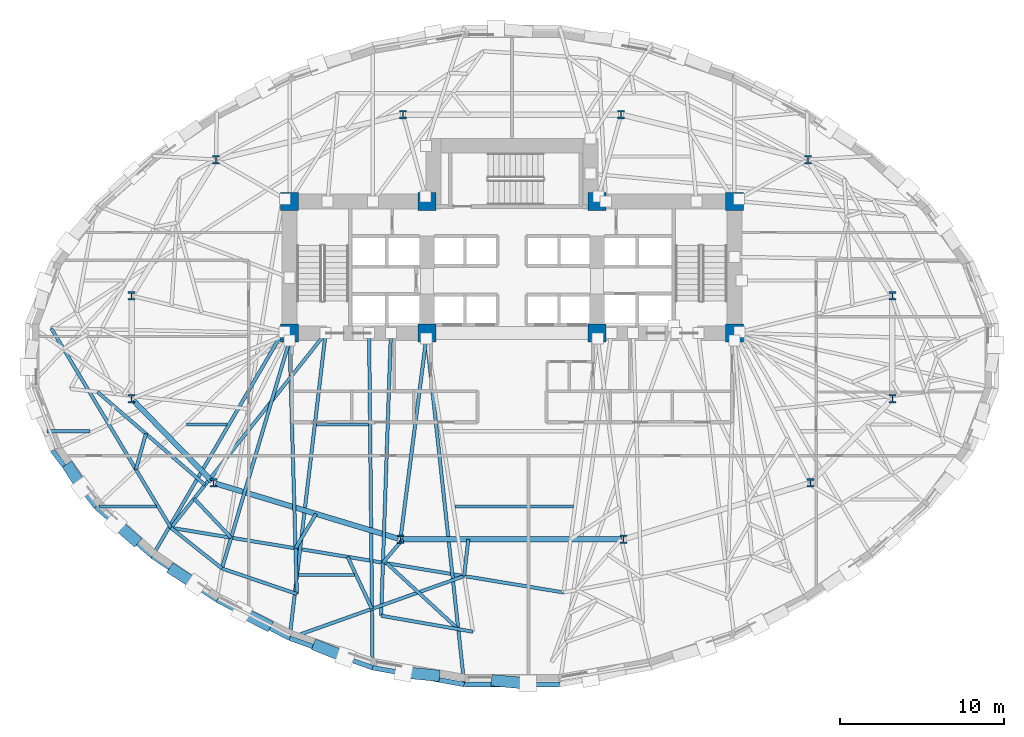
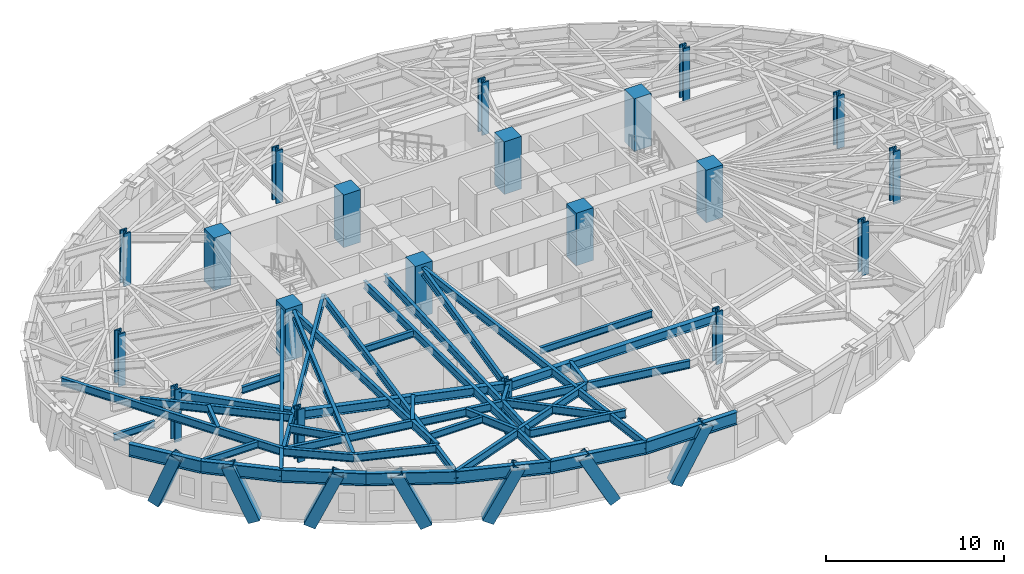
# One storey, part 1 of 14: 39 beams, 20 columns, 7 members.
"""IFC4 building model written with IfcOpenShell, lengths in metres."""

from ifc_helpers import new_model, si_unit, direction, frame, origin, origin_2d, place, context, subcontext, project, spatial, rectangle, hollow_rectangle, i_section, extrude, material, material_profile, profile_set, type_object, element, save


model = new_model("IFC4")

# Units and contexts
model_context = context("Model", 3, precision=1e-05, world=origin(), true_north=direction((0.0, 1.0)))
body_context = subcontext(model_context, "Body", "Model", "MODEL_VIEW")
ifc_project = project(units=[si_unit("LENGTHUNIT", "METRE"), si_unit("AREAUNIT", "SQUARE_METRE"), si_unit("VOLUMEUNIT", "CUBIC_METRE"), si_unit("PLANEANGLEUNIT", "RADIAN"), si_unit("MASSUNIT", "GRAM", prefix="KILO")], contexts=[model_context])

# Site, building, storey
site_placement = place(None, origin())
site = spatial("IfcSite", under=ifc_project, at=site_placement, CompositionType="ELEMENT")
building_placement = place(site_placement, origin())
building = spatial("IfcBuilding", under=site, at=building_placement, Name="Keldmark Tower", CompositionType="ELEMENT")
storey_placement = place(building_placement, frame((0.0, 0.0, 63.0)))
storey = spatial("IfcBuildingStorey", under=building, at=storey_placement, Name="L16", CompositionType="ELEMENT", Elevation=63.0)

# Columns
ifc_material_1 = material(Name="Concrete C70/85", Category="concrete")
ifc_material_profile_1 = material_profile(ifc_material_1, rectangle(XDim=1.10009765625, YDim=1.10009765625, at=origin_2d()), Name="RC1100X1100")
ifc_profile_set_1 = profile_set([ifc_material_profile_1], Name="Concrete C70/85")
column_type_1 = type_object("IfcColumnType", Name="Core Boundary Column RC1100", PredefinedType="COLUMN", material=ifc_profile_set_1)
for number, where, z_axis, x_axis, name in (
    (1, (-13.60009765625, 1.39990234375, 0.0), (0.0, 0.0, 1.0), (1.0, 0.0, 0.0), "L16 Core Boundary Column CC-W1"),
    (2, (-13.60009765625, 9.449951171875, 0.0), (0.0, 0.0, 1.0), (1.0, 0.0, 0.0), "L16 Core Boundary Column CC-W2"),
    (3, (-5.199951171875, 1.39990234375, 0.0), (0.0, 0.0, 1.0), (1.0, 0.0, 0.0), "L16 Core Boundary Column CC-W3"),
    (4, (-5.199951171875, 9.449951171875, 0.0), (0.0, 0.0, 1.0), (1.0, 0.0, 0.0), "L16 Core Boundary Column CC-W4"),
    (5, (5.199951171875, 1.39990234375, 0.0), (0.0, 0.0, 1.0), (1.0, 0.0, 0.0), "L16 Core Boundary Column CC-E1"),
    (6, (5.199951171875, 9.449951171875, 0.0), (0.0, 0.0, 1.0), (1.0, 0.0, 0.0), "L16 Core Boundary Column CC-E2"),
    (7, (13.60009765625, 1.39990234375, 0.0), (0.0, 0.0, 1.0), (1.0, 0.0, 0.0), "L16 Core Boundary Column CC-E3"),
    (8, (13.60009765625, 9.449951171875, 0.0), (0.0, 0.0, 1.0), (1.0, 0.0, 0.0), "L16 Core Boundary Column CC-E4"),
):
    element("IfcColumn", number, at=place(storey_placement, frame(where, z_axis=z_axis, x_axis=x_axis)), inside=storey, type_object=column_type_1, Name=name, PredefinedType="COLUMN", context=body_context, shape_type="SweptSolid", body=[
        extrude(rectangle(XDim=1.10009765625, YDim=1.10009765625, at=origin_2d()), origin(), (0.0, 0.0, 1.0), 3.60009765625),
    ])
ifc_material_2 = material(Name="Steel ASTM A992 Grade 50", Category="steel")
ifc_material_profile_2 = material_profile(ifc_material_2, i_section(OverallWidth=0.43701171875, OverallDepth=0.513916015625, WebThickness=0.060546875, FlangeThickness=0.096923828125, at=origin_2d()), Name="W14X550")
ifc_profile_set_2 = profile_set([ifc_material_profile_2], Name="Steel ASTM A992 Grade 50")
column_type_2 = type_object("IfcColumnType", Name="Tower Gravity Column W14X550", PredefinedType="COLUMN", material=ifc_profile_set_2)
for number, where, z_axis, x_axis, name in (
    (9, (23.25390625, 3.67724609375, 0.0), (0.0, 0.0, 1.0), (1.0, 0.0, 0.0), "L16 Tower Gravity Column TC-E1"),
    (10, (18.09765625, 12.00732421875, 0.0), (0.0, 0.0, 1.0), (1.0, 0.0, 0.0), "L16 Tower Gravity Column TC-E4"),
    (11, (6.6650390625, 14.760009765625, 0.0), (0.0, 0.0, 1.0), (1.0, 0.0, 0.0), "L16 Tower Gravity Column TC-N2"),
    (12, (-6.6650390625, 14.760009765625, 0.0), (0.0, 0.0, 1.0), (1.0, 0.0, 0.0), "L16 Tower Gravity Column TC-N1"),
    (13, (-18.09765625, 12.00732421875, 0.0), (0.0, 0.0, 1.0), (1.0, 0.0, 0.0), "L16 Tower Gravity Column TC-W4"),
    (14, (-23.25390625, 3.67724609375, 0.0), (0.0, 0.0, 1.0), (1.0, 0.0, 0.0), "L16 Tower Gravity Column TC-W1"),
    (15, (-23.25390625, -2.61328125, 0.0), (0.0, 0.0, 1.0), (1.0, 0.0, 0.0), "L16 Tower Gravity Column TC-W5"),
    (16, (-18.252685546875, -7.755615234375, 0.0), (0.0, 0.0, 1.0), (1.0, 0.0, 0.0), "L16 Tower Gravity Column TC-W2"),
    (17, (-6.822021484375, -11.205810546875, 0.0), (0.0, 0.0, 1.0), (1.0, 0.0, 0.0), "L16 Tower Gravity Column TC-W3"),
    (18, (6.822021484375, -11.205810546875, 0.0), (0.0, 0.0, 1.0), (1.0, 0.0, 0.0), "L16 Tower Gravity Column TC-E3"),
    (19, (18.252685546875, -7.755615234375, 0.0), (0.0, 0.0, 1.0), (1.0, 0.0, 0.0), "L16 Tower Gravity Column TC-E2"),
    (20, (23.25390625, -2.61328125, 0.0), (0.0, 0.0, 1.0), (1.0, 0.0, 0.0), "L16 Tower Gravity Column TC-E5"),
):
    element("IfcColumn", number, at=place(storey_placement, frame(where, z_axis=z_axis, x_axis=x_axis)), inside=storey, type_object=column_type_2, Name=name, PredefinedType="COLUMN", context=body_context, shape_type="SweptSolid", body=[
        extrude(i_section(OverallWidth=0.43701171875, OverallDepth=0.513916015625, WebThickness=0.060546875, FlangeThickness=0.096923828125, at=origin_2d()), origin(), (0.0, 0.0, 1.0), 3.60009765625),
    ])

# Beams
ifc_material_3 = material(Name="Steel ASTM A992 Grade 50", Category="steel")
ifc_material_profile_3 = material_profile(ifc_material_3, i_section(OverallWidth=0.19091796875, OverallDepth=0.45703125, WebThickness=0.009033203125, FlangeThickness=0.014404296875, at=origin_2d()), Name="W18X50")
ifc_profile_set_3 = profile_set([ifc_material_profile_3], Name="Steel ASTM A992 Grade 50")
beam_type_1 = type_object("IfcBeamType", Name="Composite Floor Joist W18X50", PredefinedType="JOIST", material=ifc_profile_set_3)
beam_1_placement = place(storey_placement, frame((-13.045166015625, -13.3798828125, 3.17138671875), z_axis=(1.0, 0.0, 0.0), x_axis=(0.0, 1.0, 0.0)))
element("IfcBeam", 21, at=beam_1_placement, inside=storey, type_object=beam_type_1, Name="L16 Composite Floor Joist J01", PredefinedType="JOIST", context=body_context, shape_type="SweptSolid", body=[
    extrude(i_section(OverallWidth=0.19091796875, OverallDepth=0.45703125, WebThickness=0.009033203125, FlangeThickness=0.014404296875, at=origin_2d()), origin(), (0.0, 0.0, 1.0), 3.403564453125),
])
beam_2_placement = place(storey_placement, frame((-25.25830078125, -9.199951171875, 3.17138671875), z_axis=(1.0, 0.0, 0.0), x_axis=(0.0, 1.0, 0.0)))
element("IfcBeam", 22, at=beam_2_placement, inside=storey, type_object=beam_type_1, Name="L16 Composite Floor Joist J02", PredefinedType="JOIST", context=body_context, shape_type="SweptSolid", body=[
    extrude(i_section(OverallWidth=0.19091796875, OverallDepth=0.45703125, WebThickness=0.009033203125, FlangeThickness=0.014404296875, at=origin_2d()), origin(), (0.0, 0.0, 1.0), 3.51025390625),
])
beam_3_placement = place(storey_placement, frame((-3.498779296875, -9.199951171875, 3.17138671875), z_axis=(1.0, 0.0, 0.0), x_axis=(0.0, 1.0, 0.0)))
element("IfcBeam", 23, at=beam_3_placement, inside=storey, type_object=beam_type_1, Name="L16 Composite Floor Joist J03", PredefinedType="JOIST", context=body_context, shape_type="SweptSolid", body=[
    extrude(i_section(OverallWidth=0.19091796875, OverallDepth=0.45703125, WebThickness=0.009033203125, FlangeThickness=0.014404296875, at=origin_2d()), origin(), (0.0, 0.0, 1.0), 7.254638671875),
])
beam_4_placement = place(storey_placement, frame((-28.423095703125, -4.60009765625, 3.17138671875), z_axis=(1.0, 0.0, 0.0), x_axis=(0.0, 1.0, 0.0)))
element("IfcBeam", 24, at=beam_4_placement, inside=storey, type_object=beam_type_1, Name="L16 Composite Floor Joist J05", PredefinedType="JOIST", context=body_context, shape_type="SweptSolid", body=[
    extrude(i_section(OverallWidth=0.19091796875, OverallDepth=0.45703125, WebThickness=0.009033203125, FlangeThickness=0.014404296875, at=origin_2d()), origin(), (0.0, 0.0, 1.0), 2.630615234375),
])
beam_5_placement = place(storey_placement, frame((-19.892822265625, -4.179931640625, 3.17138671875), z_axis=(1.0, 0.0, 0.0), x_axis=(0.0, 1.0, 0.0)))
element("IfcBeam", 25, at=beam_5_placement, inside=storey, type_object=beam_type_1, Name="L16 Composite Floor Joist J06", PredefinedType="JOIST", context=body_context, shape_type="SweptSolid", body=[
    extrude(i_section(OverallWidth=0.19091796875, OverallDepth=0.45703125, WebThickness=0.009033203125, FlangeThickness=0.014404296875, at=origin_2d()), origin(), (0.0, 0.0, 1.0), 2.4814453125),
])
beam_6_placement = place(storey_placement, frame((-11.95654296875, -4.179931640625, 3.17138671875), z_axis=(1.0, 0.0, 0.0), x_axis=(0.0, 1.0, 0.0)))
element("IfcBeam", 26, at=beam_6_placement, inside=storey, type_object=beam_type_1, Name="L16 Composite Floor Joist J07", PredefinedType="JOIST", context=body_context, shape_type="SweptSolid", body=[
    extrude(i_section(OverallWidth=0.19091796875, OverallDepth=0.45703125, WebThickness=0.009033203125, FlangeThickness=0.014404296875, at=origin_2d()), origin(), (0.0, 0.0, 1.0), 3.182861328125),
])

# Members
ifc_material_4 = material(Name="Steel ASTM A572 Grade 50", Category="steel")
ifc_material_profile_4 = material_profile(ifc_material_4, hollow_rectangle(XDim=0.699951171875, YDim=0.699951171875, WallThickness=0.054931640625, at=origin_2d()), Name="BOX700X700X55")
ifc_profile_set_4 = profile_set([ifc_material_profile_4], Name="Steel ASTM A572 Grade 50")
member_type = type_object("IfcMemberType", Name="Diagrid Zone 1 Brace BOX700X700X55", PredefinedType="BRACE", material=ifc_profile_set_4)
member_1_placement = place(storey_placement, frame((-27.02978515625, -6.88037109375, -0.280029296875), z_axis=(0.198169664539, -0.307561872275, 0.930663461612), x_axis=(0.840616924011, 0.541630120161, 0.0)))
element("IfcMember", 27, at=member_1_placement, inside=storey, type_object=member_type, Name="L16 Perimeter Diagrid Brace 09B", PredefinedType="BRACE", context=body_context, shape_type="SweptSolid", body=[
    extrude(hollow_rectangle(XDim=0.699951171875, YDim=0.699951171875, WallThickness=0.054931640625, at=origin_2d()), origin(), (0.0, 0.0, 1.0), 3.8251953125),
])
member_2_placement = place(storey_placement, frame((-23.0888671875, -11.206298828125, -0.280029296875), z_axis=(-0.297192050443, 0.260019417464, 0.918731074741), x_axis=(-0.65847072007, -0.752606345183, 0.0)))
element("IfcMember", 28, at=member_2_placement, inside=storey, type_object=member_type, Name="L16 Perimeter Diagrid Brace 10A", PredefinedType="BRACE", context=body_context, shape_type="SweptSolid", body=[
    extrude(hollow_rectangle(XDim=0.699951171875, YDim=0.699951171875, WallThickness=0.054931640625, at=origin_2d()), origin(), (0.0, 0.0, 1.0), 3.875),
])
member_3_placement = place(storey_placement, frame((-20.65380859375, -13.1044921875, -0.280029296875), z_axis=(0.342659938482, -0.224937046145, 0.91213348356), x_axis=(0.54876977085, 0.835973527452, 0.0)))
element("IfcMember", 29, at=member_3_placement, inside=storey, type_object=member_type, Name="L16 Perimeter Diagrid Brace 10B", PredefinedType="BRACE", context=body_context, shape_type="SweptSolid", body=[
    extrude(hollow_rectangle(XDim=0.699951171875, YDim=0.699951171875, WallThickness=0.054931640625, at=origin_2d()), origin(), (0.0, 0.0, 1.0), 3.903076171875),
])
member_4_placement = place(storey_placement, frame((-15.033203125, -16.4072265625, -0.280029296875), z_axis=(-0.379728256214, 0.193555327461, 0.904623008023), x_axis=(-0.454128549703, -0.890936170747, 0.0)))
element("IfcMember", 30, at=member_4_placement, inside=storey, type_object=member_type, Name="L16 Perimeter Diagrid Brace 11A", PredefinedType="BRACE", context=body_context, shape_type="SweptSolid", body=[
    extrude(hollow_rectangle(XDim=0.699951171875, YDim=0.699951171875, WallThickness=0.054931640625, at=origin_2d()), origin(), (0.0, 0.0, 1.0), 3.935302734375),
])
member_5_placement = place(storey_placement, frame((-11.844970703125, -17.73828125, -0.280029296875), z_axis=(0.416210288064, -0.166079491879, 0.893972370091), x_axis=(0.370612156998, 0.928787720141, 0.0)))
element("IfcMember", 31, at=member_5_placement, inside=storey, type_object=member_type, Name="L16 Perimeter Diagrid Brace 11B", PredefinedType="BRACE", context=body_context, shape_type="SweptSolid", body=[
    extrude(hollow_rectangle(XDim=0.699951171875, YDim=0.699951171875, WallThickness=0.054931640625, at=origin_2d()), origin(), (0.0, 0.0, 1.0), 3.982177734375),
])
member_6_placement = place(storey_placement, frame((-4.735107421875, -19.52734375, -0.280029296875), z_axis=(-0.470779677868, 0.046582537428, 0.88102018258), x_axis=(-0.098466786507, -0.995140337819, 0.0)))
element("IfcMember", 32, at=member_6_placement, inside=storey, type_object=member_type, Name="L16 Perimeter Diagrid Brace 12A", PredefinedType="BRACE", context=body_context, shape_type="SweptSolid", body=[
    extrude(hollow_rectangle(XDim=0.699951171875, YDim=0.699951171875, WallThickness=0.054931640625, at=origin_2d()), origin(), (0.0, 0.0, 1.0), 4.040771484375),
])
member_7_placement = place(storey_placement, frame((-0.9580078125, -19.84765625, -0.280029296875), z_axis=(0.477382475251, -0.043693857417, 0.877608579691), x_axis=(0.091146997976, 0.995837448964, 0.0)))
element("IfcMember", 33, at=member_7_placement, inside=storey, type_object=member_type, Name="L16 Perimeter Diagrid Brace 12B", PredefinedType="BRACE", context=body_context, shape_type="SweptSolid", body=[
    extrude(hollow_rectangle(XDim=0.699951171875, YDim=0.699951171875, WallThickness=0.054931640625, at=origin_2d()), origin(), (0.0, 0.0, 1.0), 4.056640625),
])

# Beams
ifc_material_5 = material(Name="Steel ASTM A992 Grade 50", Category="steel")
ifc_material_profile_5 = material_profile(ifc_material_5, i_section(OverallWidth=0.323974609375, OverallDepth=0.611083984375, WebThickness=0.0126953125, FlangeThickness=0.01904296875, at=origin_2d()), Name="W24X104")
ifc_profile_set_5 = profile_set([ifc_material_profile_5], Name="Steel ASTM A992 Grade 50")
beam_type_2 = type_object("IfcBeamType", Name="Primary Floor Girder W24X104", PredefinedType="BEAM", material=ifc_profile_set_5)
beam_7_placement = place(storey_placement, frame((-23.156494140625, -2.713623046875, 3.094482421875), z_axis=(0.697210382268, -0.716866572563, 0.0), x_axis=(0.716866572563, 0.697210382268, 0.0)))
element("IfcBeam", 34, at=beam_7_placement, inside=storey, type_object=beam_type_2, Name="L16 Floor Ring Girder FG-R07", PredefinedType="BEAM", context=body_context, shape_type="SweptSolid", body=[
    extrude(i_section(OverallWidth=0.323974609375, OverallDepth=0.611083984375, WebThickness=0.0126953125, FlangeThickness=0.01904296875, at=origin_2d()), origin(), (0.0, 0.0, 1.0), 6.893310546875),
])
beam_8_placement = place(storey_placement, frame((-18.118896484375, -7.796142578125, 3.094482421875), z_axis=(0.957346071406, -0.2889437654, 0.0), x_axis=(0.2889437654, 0.957346071406, 0.0)))
element("IfcBeam", 35, at=beam_8_placement, inside=storey, type_object=beam_type_2, Name="L16 Floor Ring Girder FG-R08", PredefinedType="BEAM", context=body_context, shape_type="SweptSolid", body=[
    extrude(i_section(OverallWidth=0.323974609375, OverallDepth=0.611083984375, WebThickness=0.0126953125, FlangeThickness=0.01904296875, at=origin_2d()), origin(), (0.0, 0.0, 1.0), 11.66015625),
])
beam_9_placement = place(storey_placement, frame((-6.68212890625, -11.205810546875, 3.094482421875), z_axis=(1.0, 0.0, 0.0), x_axis=(0.0, 1.0, 0.0)))
element("IfcBeam", 36, at=beam_9_placement, inside=storey, type_object=beam_type_2, Name="L16 Floor Ring Girder FG-R09", PredefinedType="BEAM", context=body_context, shape_type="SweptSolid", body=[
    extrude(i_section(OverallWidth=0.323974609375, OverallDepth=0.611083984375, WebThickness=0.0126953125, FlangeThickness=0.01904296875, at=origin_2d()), origin(), (0.0, 0.0, 1.0), 13.3642578125),
])
ifc_material_6 = material(Name="Steel ASTM A992 Grade 50", Category="steel")
ifc_material_profile_6 = material_profile(ifc_material_6, i_section(OverallWidth=0.2099609375, OverallDepth=0.537109375, WebThickness=0.010986328125, FlangeThickness=0.017333984375, at=origin_2d()), Name="W21X68")
ifc_profile_set_6 = profile_set([ifc_material_profile_6], Name="Steel ASTM A992 Grade 50")
beam_type_3 = type_object("IfcBeamType", Name="Radial Tie Girder W21X68", PredefinedType="BEAM", material=ifc_profile_set_6)
beam_10_placement = place(storey_placement, frame((-25.342529296875, -2.19482421875, 3.131591796875), z_axis=(0.756359791367, -0.654155842291, 0.0), x_axis=(0.654155842291, 0.756359791367, 0.0)))
element("IfcBeam", 37, at=beam_10_placement, inside=storey, type_object=beam_type_3, Name="L16 Framing Pin Header PH-011", PredefinedType="BEAM", context=body_context, shape_type="SweptSolid", body=[
    extrude(i_section(OverallWidth=0.2099609375, OverallDepth=0.537109375, WebThickness=0.010986328125, FlangeThickness=0.017333984375, at=origin_2d()), origin(), (0.0, 0.0, 1.0), 8.690185546875),
])
beam_11_placement = place(storey_placement, frame((-11.392822265625, 1.39990234375, 3.131591796875), z_axis=(-0.622273645705, -0.782799789129, 0.0), x_axis=(0.782799789129, -0.622273645705, 0.0)))
element("IfcBeam", 38, at=beam_11_placement, inside=storey, type_object=beam_type_3, Name="L16 Sub-Ring Step Girder STP2-M08", PredefinedType="BEAM", context=body_context, shape_type="SweptSolid", body=[
    extrude(i_section(OverallWidth=0.2099609375, OverallDepth=0.537109375, WebThickness=0.010986328125, FlangeThickness=0.017333984375, at=origin_2d()), origin(), (0.0, 0.0, 1.0), 15.2041015625),
])
beam_12_placement = place(storey_placement, frame((-28.1708984375, 1.691162109375, 3.131591796875), z_axis=(0.514548775722, -0.857461111307, 0.0), x_axis=(0.857461111307, 0.514548775722, 0.0)))
element("IfcBeam", 39, at=beam_12_placement, inside=storey, type_object=beam_type_3, Name="L16 Perimeter Collector Ring Beam CRG2-M07", PredefinedType="BEAM", context=body_context, shape_type="SweptSolid", body=[
    extrude(i_section(OverallWidth=0.2099609375, OverallDepth=0.537109375, WebThickness=0.010986328125, FlangeThickness=0.017333984375, at=origin_2d()), origin(), (0.0, 0.0, 1.0), 14.219970703125),
])
beam_13_placement = place(storey_placement, frame((-20.85400390625, -10.501953125, 3.131591796875), z_axis=(0.986709897044, -0.162491781565, 0.0), x_axis=(0.162491781565, 0.986709897044, 0.0)))
element("IfcBeam", 40, at=beam_13_placement, inside=storey, type_object=beam_type_3, Name="L16 Perimeter Collector Ring Beam CRG2-M08", PredefinedType="BEAM", context=body_context, shape_type="SweptSolid", body=[
    extrude(i_section(OverallWidth=0.2099609375, OverallDepth=0.537109375, WebThickness=0.010986328125, FlangeThickness=0.017333984375, at=origin_2d()), origin(), (0.0, 0.0, 1.0), 24.332763671875),
])
beam_14_placement = place(storey_placement, frame((-22.384765625, -4.753173828125, 3.131591796875), z_axis=(-0.268471343188, -0.963287671408, 0.0), x_axis=(0.963287671408, -0.268471343188, 0.0)))
element("IfcBeam", 41, at=beam_14_placement, inside=storey, type_object=beam_type_3, Name="L16 Framing Pin Header PH-028", PredefinedType="BEAM", context=body_context, shape_type="SweptSolid", body=[
    extrude(i_section(OverallWidth=0.2099609375, OverallDepth=0.537109375, WebThickness=0.010986328125, FlangeThickness=0.017333984375, at=origin_2d()), origin(), (0.0, 0.0, 1.0), 2.26708984375),
])
beam_15_placement = place(storey_placement, frame((-14.050048828125, 1.39990234375, 3.131591796875), z_axis=(-0.503236062188, -0.864148983517, 0.0), x_axis=(0.864148983517, -0.503236062188, 0.0)))
element("IfcBeam", 42, at=beam_15_placement, inside=storey, type_object=beam_type_3, Name="L16 Perimeter Radial Tie Girder RT-20", PredefinedType="BEAM", context=body_context, shape_type="SweptSolid", body=[
    extrude(i_section(OverallWidth=0.2099609375, OverallDepth=0.537109375, WebThickness=0.010986328125, FlangeThickness=0.017333984375, at=origin_2d()), origin(), (0.0, 0.0, 1.0), 15.78173828125),
])
beam_16_placement = place(storey_placement, frame((-19.434814453125, -8.716552734375, 3.131591796875), z_axis=(0.686982892772, -0.726673589061, 0.0), x_axis=(0.726673589061, 0.686982892772, 0.0)))
element("IfcBeam", 43, at=beam_16_placement, inside=storey, type_object=beam_type_3, Name="L16 Framing Pin Header PH-029", PredefinedType="BEAM", context=body_context, shape_type="SweptSolid", body=[
    extrude(i_section(OverallWidth=0.2099609375, OverallDepth=0.537109375, WebThickness=0.010986328125, FlangeThickness=0.017333984375, at=origin_2d()), origin(), (0.0, 0.0, 1.0), 3.290771484375),
])
beam_17_placement = place(storey_placement, frame((-13.60009765625, 0.949951171875, 3.131591796875), z_axis=(-0.284182090603, -0.95877032671, 0.0), x_axis=(0.95877032671, -0.284182090603, 0.0)))
element("IfcBeam", 44, at=beam_17_placement, inside=storey, type_object=beam_type_3, Name="L16 Intermediate Radial Step Girder RT-21M", PredefinedType="BEAM", context=body_context, shape_type="SweptSolid", body=[
    extrude(i_section(OverallWidth=0.2099609375, OverallDepth=0.537109375, WebThickness=0.010986328125, FlangeThickness=0.017333984375, at=origin_2d()), origin(), (0.0, 0.0, 1.0), 14.539306640625),
])
beam_18_placement = place(storey_placement, frame((-20.85400390625, -10.501953125, 3.131591796875), z_axis=(0.782042785515, -0.623224744072, 0.0), x_axis=(0.623224744072, 0.782042785515, 0.0)))
element("IfcBeam", 45, at=beam_18_placement, inside=storey, type_object=beam_type_3, Name="L16 Local Collector Chord RT-21C", PredefinedType="BEAM", context=body_context, shape_type="SweptSolid", body=[
    extrude(i_section(OverallWidth=0.2099609375, OverallDepth=0.537109375, WebThickness=0.010986328125, FlangeThickness=0.017333984375, at=origin_2d()), origin(), (0.0, 0.0, 1.0), 3.9921875),
])
beam_19_placement = place(storey_placement, frame((-11.979248046875, -9.649169921875, 3.131591796875), z_axis=(-0.511917688915, -0.859034504415, 0.0), x_axis=(0.859034504415, -0.511917688915, 0.0)))
element("IfcBeam", 46, at=beam_19_placement, inside=storey, type_object=beam_type_3, Name="L16 Framing Pin Header PH-030", PredefinedType="BEAM", context=body_context, shape_type="SweptSolid", body=[
    extrude(i_section(OverallWidth=0.2099609375, OverallDepth=0.537109375, WebThickness=0.010986328125, FlangeThickness=0.017333984375, at=origin_2d()), origin(), (0.0, 0.0, 1.0), 2.453125),
])
beam_20_placement = place(storey_placement, frame((-13.60009765625, 0.949951171875, 3.131591796875), z_axis=(0.028722057442, -0.999587436604, 0.0), x_axis=(0.999587436604, 0.028722057442, 0.0)))
element("IfcBeam", 47, at=beam_20_placement, inside=storey, type_object=beam_type_3, Name="L16 Intermediate Radial Step Girder RT-22M", PredefinedType="BEAM", context=body_context, shape_type="SweptSolid", body=[
    extrude(i_section(OverallWidth=0.2099609375, OverallDepth=0.537109375, WebThickness=0.010986328125, FlangeThickness=0.017333984375, at=origin_2d()), origin(), (0.0, 0.0, 1.0), 15.504150390625),
])
beam_21_placement = place(storey_placement, frame((-17.73193359375, -12.989990234375, 3.131591796875), z_axis=(0.946669897162, -0.322205067943, 0.0), x_axis=(0.322205067943, 0.946669897162, 0.0)))
element("IfcBeam", 48, at=beam_21_placement, inside=storey, type_object=beam_type_3, Name="L16 Local Collector Chord RT-22C", PredefinedType="BEAM", context=body_context, shape_type="SweptSolid", body=[
    extrude(i_section(OverallWidth=0.2099609375, OverallDepth=0.537109375, WebThickness=0.010986328125, FlangeThickness=0.017333984375, at=origin_2d()), origin(), (0.0, 0.0, 1.0), 4.8349609375),
])
beam_22_placement = place(storey_placement, frame((-11.392822265625, 1.39990234375, 3.131591796875), z_axis=(-0.117516192305, -0.993070966521, 0.0), x_axis=(0.993070966521, -0.117516192305, 0.0)))
element("IfcBeam", 49, at=beam_22_placement, inside=storey, type_object=beam_type_3, Name="L16 Perimeter Radial Tie Girder RT-22", PredefinedType="BEAM", context=body_context, shape_type="SweptSolid", body=[
    extrude(i_section(OverallWidth=0.2099609375, OverallDepth=0.537109375, WebThickness=0.010986328125, FlangeThickness=0.017333984375, at=origin_2d()), origin(), (0.0, 0.0, 1.0), 18.78271484375),
])
beam_23_placement = place(storey_placement, frame((-6.68212890625, -11.205810546875, 3.131591796875), z_axis=(-0.644790007562, -0.764359762251, 0.0), x_axis=(0.764359762251, -0.644790007562, 0.0)))
element("IfcBeam", 50, at=beam_23_placement, inside=storey, type_object=beam_type_3, Name="L16 Framing Pin Header PH-031", PredefinedType="BEAM", context=body_context, shape_type="SweptSolid", body=[
    extrude(i_section(OverallWidth=0.2099609375, OverallDepth=0.537109375, WebThickness=0.010986328125, FlangeThickness=0.017333984375, at=origin_2d()), origin(), (0.0, 0.0, 1.0), 1.872314453125),
])
beam_24_placement = place(storey_placement, frame((-7.406982421875, 1.39990234375, 3.131591796875), z_axis=(-0.034357220928, -0.999409616409, 0.0), x_axis=(0.999409616409, -0.034357220928, 0.0)))
element("IfcBeam", 51, at=beam_24_placement, inside=storey, type_object=beam_type_3, Name="L16 Intermediate Radial Step Girder RT-23M", PredefinedType="BEAM", context=body_context, shape_type="SweptSolid", body=[
    extrude(i_section(OverallWidth=0.2099609375, OverallDepth=0.537109375, WebThickness=0.010986328125, FlangeThickness=0.017333984375, at=origin_2d()), origin(), (0.0, 0.0, 1.0), 17.288818359375),
])
beam_25_placement = place(storey_placement, frame((-2.6728515625, -11.205810546875, 3.131591796875), z_axis=(-0.11079859299, -0.993842880838, 0.0), x_axis=(0.993842880838, -0.11079859299, 0.0)))
element("IfcBeam", 52, at=beam_25_placement, inside=storey, type_object=beam_type_3, Name="L16 Framing Pin Header PH-032", PredefinedType="BEAM", context=body_context, shape_type="SweptSolid", body=[
    extrude(i_section(OverallWidth=0.2099609375, OverallDepth=0.537109375, WebThickness=0.010986328125, FlangeThickness=0.017333984375, at=origin_2d()), origin(), (0.0, 0.0, 1.0), 2.262939453125),
])
beam_26_placement = place(storey_placement, frame((-8.0009765625, -15.878662109375, 3.131591796875), z_axis=(0.985138099646, -0.171764154075, 0.0), x_axis=(0.171764154075, 0.985138099646, 0.0)))
element("IfcBeam", 53, at=beam_26_placement, inside=storey, type_object=beam_type_3, Name="L16 Local Collector Chord RT-24C", PredefinedType="BEAM", context=body_context, shape_type="SweptSolid", body=[
    extrude(i_section(OverallWidth=0.2099609375, OverallDepth=0.537109375, WebThickness=0.010986328125, FlangeThickness=0.017333984375, at=origin_2d()), origin(), (0.0, 0.0, 1.0), 5.69970703125),
])
beam_27_placement = place(storey_placement, frame((-7.64892578125, -12.676513671875, 3.131591796875), z_axis=(0.735150217419, -0.677904239424, 0.0), x_axis=(0.677904239424, 0.735150217419, 0.0)))
element("IfcBeam", 54, at=beam_27_placement, inside=storey, type_object=beam_type_3, Name="L16 Framing Pin Header PH-033", PredefinedType="BEAM", context=body_context, shape_type="SweptSolid", body=[
    extrude(i_section(OverallWidth=0.2099609375, OverallDepth=0.537109375, WebThickness=0.010986328125, FlangeThickness=0.017333984375, at=origin_2d()), origin(), (0.0, 0.0, 1.0), 5.9365234375),
])
beam_28_placement = place(storey_placement, frame((-5.199951171875, 0.949951171875, 3.131591796875), z_axis=(0.107877950651, -0.994164145282, 0.0), x_axis=(0.994164145282, 0.107877950651, 0.0)))
element("IfcBeam", 55, at=beam_28_placement, inside=storey, type_object=beam_type_3, Name="L16 Perimeter Radial Tie Girder RT-24", PredefinedType="BEAM", context=body_context, shape_type="SweptSolid", body=[
    extrude(i_section(OverallWidth=0.2099609375, OverallDepth=0.537109375, WebThickness=0.010986328125, FlangeThickness=0.017333984375, at=origin_2d()), origin(), (0.0, 0.0, 1.0), 21.157958984375),
])
beam_29_placement = place(storey_placement, frame((-13.60009765625, -17.252685546875, 3.131591796875), z_axis=(0.942165716136, 0.335147375551, 0.0), x_axis=(-0.335147375551, 0.942165716136, 0.0)))
element("IfcBeam", 56, at=beam_29_placement, inside=storey, type_object=beam_type_3, Name="L16 Straddling Support Chord RT-23RB", PredefinedType="BEAM", context=body_context, shape_type="SweptSolid", body=[
    extrude(i_section(OverallWidth=0.2099609375, OverallDepth=0.537109375, WebThickness=0.010986328125, FlangeThickness=0.017333984375, at=origin_2d()), origin(), (0.0, 0.0, 1.0), 11.331787109375),
])
beam_30_placement = place(storey_placement, frame((-10.0498046875, -12.28125, 3.131591796875), z_axis=(0.424198643064, -0.90556916424, 0.0), x_axis=(0.90556916424, 0.424198643064, 0.0)))
element("IfcBeam", 57, at=beam_30_placement, inside=storey, type_object=beam_type_3, Name="L16 Framing Pin Header PH-045", PredefinedType="BEAM", context=body_context, shape_type="SweptSolid", body=[
    extrude(i_section(OverallWidth=0.2099609375, OverallDepth=0.537109375, WebThickness=0.010986328125, FlangeThickness=0.017333984375, at=origin_2d()), origin(), (0.0, 0.0, 1.0), 3.51025390625),
])
beam_31_placement = place(storey_placement, frame((-8.735595703125, 1.39990234375, 3.131591796875), z_axis=(0.010360777467, -0.999946325705, 0.0), x_axis=(0.999946325705, 0.010360777467, 0.0)))
element("IfcBeam", 58, at=beam_31_placement, inside=storey, type_object=beam_type_3, Name="L16 Perimeter Radial Tie Girder RT-23R", PredefinedType="BEAM", context=body_context, shape_type="SweptSolid", body=[
    extrude(i_section(OverallWidth=0.2099609375, OverallDepth=0.537109375, WebThickness=0.010986328125, FlangeThickness=0.017333984375, at=origin_2d()), origin(), (0.0, 0.0, 1.0), 20.453369140625),
])
ifc_material_7 = material(Name="Steel ASTM A992 Grade 50", Category="steel")
ifc_material_profile_7 = material_profile(ifc_material_7, i_section(OverallWidth=0.214111328125, OverallDepth=0.549072265625, WebThickness=0.0146484375, FlangeThickness=0.023681640625, at=origin_2d()), Name="W21X93")
ifc_profile_set_7 = profile_set([ifc_material_profile_7], Name="Steel ASTM A992 Grade 50")
beam_type_4 = type_object("IfcBeamType", Name="Radial Tie Girder W21X93", PredefinedType="BEAM", material=ifc_profile_set_7)
beam_32_placement = place(storey_placement, frame((-6.80419921875, -11.06689453125, 3.12548828125), z_axis=(0.127634898593, 0.99182122011, 0.0), x_axis=(-0.99182122011, 0.127634898593, 0.0)))
element("IfcBeam", 59, at=beam_32_placement, inside=storey, type_object=beam_type_4, Name="L16 Floor Radial Girder FG-C09", PredefinedType="BEAM", context=body_context, shape_type="SweptSolid", body=[
    extrude(i_section(OverallWidth=0.214111328125, OverallDepth=0.549072265625, WebThickness=0.0146484375, FlangeThickness=0.023681640625, at=origin_2d()), origin(), (0.0, 0.0, 1.0), 12.24951171875),
])
ifc_material_8 = material(Name="Steel ASTM A992 Grade 50", Category="steel")
ifc_material_profile_8 = material_profile(ifc_material_8, i_section(OverallWidth=0.2919921875, OverallDepth=0.85888671875, WebThickness=0.01708984375, FlangeThickness=0.031005859375, at=origin_2d()), Name="W33X169")
ifc_profile_set_8 = profile_set([ifc_material_profile_8], Name="Steel ASTM A992 Grade 50")
beam_type_5 = type_object("IfcBeamType", Name="Spandrel Ring Beam W33X169", PredefinedType="SPANDREL", material=ifc_profile_set_8)
beam_33_placement = place(storey_placement, frame((-28.0986328125, -5.779541015625, 2.970458984375), z_axis=(0.610649514798, -0.791900985021, 0.0), x_axis=(0.791900985021, 0.610649514798, 0.0)))
element("IfcBeam", 60, at=beam_33_placement, inside=storey, type_object=beam_type_5, Name="L16 Perimeter Spandrel Ring Beam SRB-18", PredefinedType="SPANDREL", context=body_context, shape_type="SweptSolid", body=[
    extrude(i_section(OverallWidth=0.2919921875, OverallDepth=0.85888671875, WebThickness=0.01708984375, FlangeThickness=0.031005859375, at=origin_2d()), origin(), (0.0, 0.0, 1.0), 4.3466796875),
])
beam_34_placement = place(storey_placement, frame((-25.4443359375, -9.2216796875, 2.970458984375), z_axis=(0.753087816079, -0.657920011303, 0.0), x_axis=(0.657920011303, 0.753087816079, 0.0)))
element("IfcBeam", 61, at=beam_34_placement, inside=storey, type_object=beam_type_5, Name="L16 Perimeter Spandrel Ring Beam SRB-19", PredefinedType="SPANDREL", context=body_context, shape_type="SweptSolid", body=[
    extrude(i_section(OverallWidth=0.2919921875, OverallDepth=0.85888671875, WebThickness=0.01708984375, FlangeThickness=0.031005859375, at=origin_2d()), origin(), (0.0, 0.0, 1.0), 4.584228515625),
])
beam_35_placement = place(storey_placement, frame((-21.991943359375, -12.23779296875, 2.970458984375), z_axis=(0.827689135004, -0.561186863528, 0.0), x_axis=(0.561186863528, 0.827689135004, 0.0)))
element("IfcBeam", 62, at=beam_35_placement, inside=storey, type_object=beam_type_5, Name="L16 Perimeter Spandrel Ring Beam SRB-20", PredefinedType="SPANDREL", context=body_context, shape_type="SweptSolid", body=[
    extrude(i_section(OverallWidth=0.2919921875, OverallDepth=0.85888671875, WebThickness=0.01708984375, FlangeThickness=0.031005859375, at=origin_2d()), origin(), (0.0, 0.0, 1.0), 4.7646484375),
])
beam_36_placement = place(storey_placement, frame((-18.04833984375, -14.91162109375, 2.970458984375), z_axis=(0.884927704222, -0.465728416892, 0.0), x_axis=(0.465728416892, 0.884927704222, 0.0)))
element("IfcBeam", 63, at=beam_36_placement, inside=storey, type_object=beam_type_5, Name="L16 Perimeter Spandrel Ring Beam SRB-21", PredefinedType="SPANDREL", context=body_context, shape_type="SweptSolid", body=[
    extrude(i_section(OverallWidth=0.2919921875, OverallDepth=0.85888671875, WebThickness=0.01708984375, FlangeThickness=0.031005859375, at=origin_2d()), origin(), (0.0, 0.0, 1.0), 5.026611328125),
])
beam_37_placement = place(storey_placement, frame((-13.60009765625, -17.252685546875, 2.970458984375), z_axis=(0.942515730584, -0.334161783575, 0.0), x_axis=(0.334161783575, 0.942515730584, 0.0)))
element("IfcBeam", 64, at=beam_37_placement, inside=storey, type_object=beam_type_5, Name="L16 Perimeter Spandrel Ring Beam SRB-22", PredefinedType="SPANDREL", context=body_context, shape_type="SweptSolid", body=[
    extrude(i_section(OverallWidth=0.2919921875, OverallDepth=0.85888671875, WebThickness=0.01708984375, FlangeThickness=0.031005859375, at=origin_2d()), origin(), (0.0, 0.0, 1.0), 5.385986328125),
])
beam_38_placement = place(storey_placement, frame((-8.523681640625, -19.052490234375, 2.970458984375), z_axis=(0.98347627312, -0.181037068609, 0.0), x_axis=(0.181037068609, 0.98347627312, 0.0)))
element("IfcBeam", 65, at=beam_38_placement, inside=storey, type_object=beam_type_5, Name="L16 Perimeter Spandrel Ring Beam SRB-23", PredefinedType="SPANDREL", context=body_context, shape_type="SweptSolid", body=[
    extrude(i_section(OverallWidth=0.2919921875, OverallDepth=0.85888671875, WebThickness=0.01708984375, FlangeThickness=0.031005859375, at=origin_2d()), origin(), (0.0, 0.0, 1.0), 5.700439453125),
])
beam_39_placement = place(storey_placement, frame((-2.91748046875, -20.08447265625, 2.970458984375), z_axis=(1.0, 0.0, 0.0), x_axis=(0.0, 1.0, 0.0)))
element("IfcBeam", 66, at=beam_39_placement, inside=storey, type_object=beam_type_5, Name="L16 Perimeter Spandrel Ring Beam SRB-24", PredefinedType="SPANDREL", context=body_context, shape_type="SweptSolid", body=[
    extrude(i_section(OverallWidth=0.2919921875, OverallDepth=0.85888671875, WebThickness=0.01708984375, FlangeThickness=0.031005859375, at=origin_2d()), origin(), (0.0, 0.0, 1.0), 5.8349609375),
])

save(model, "model.ifc")
